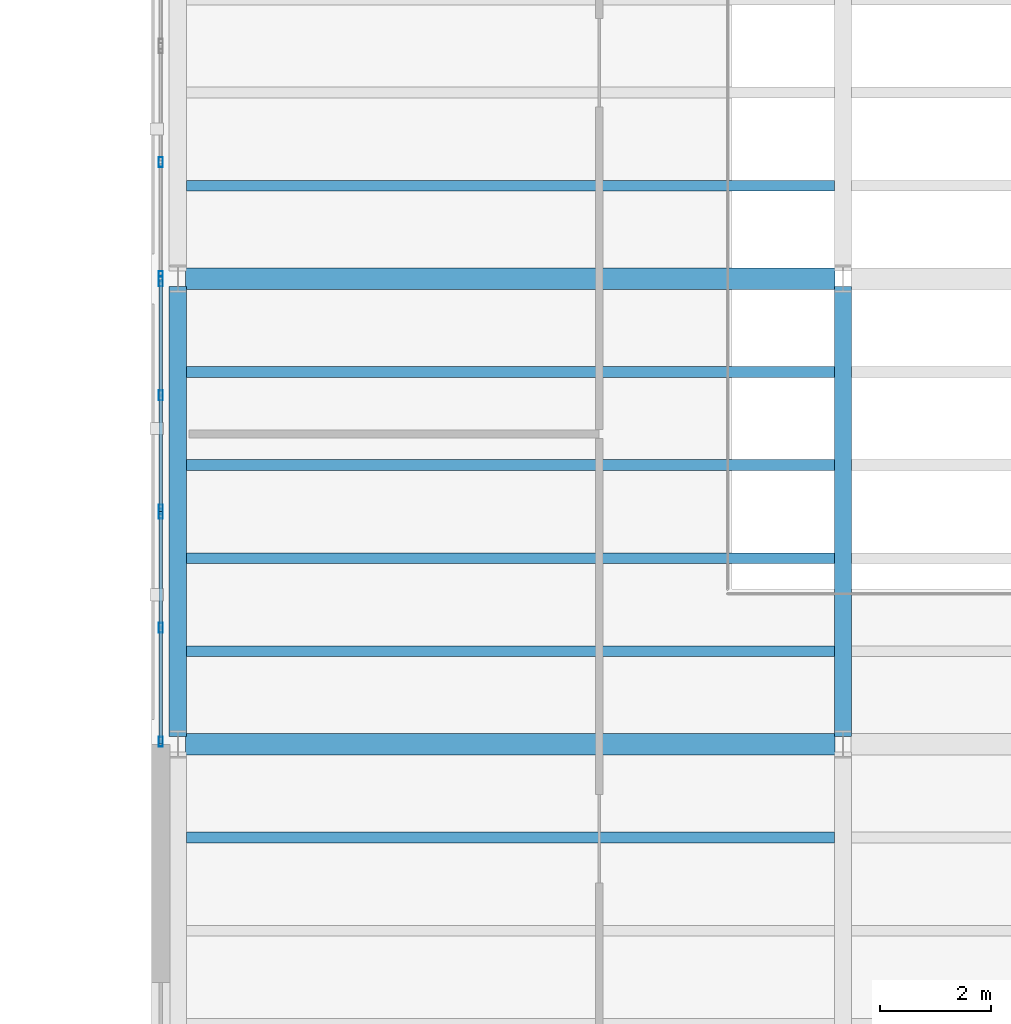
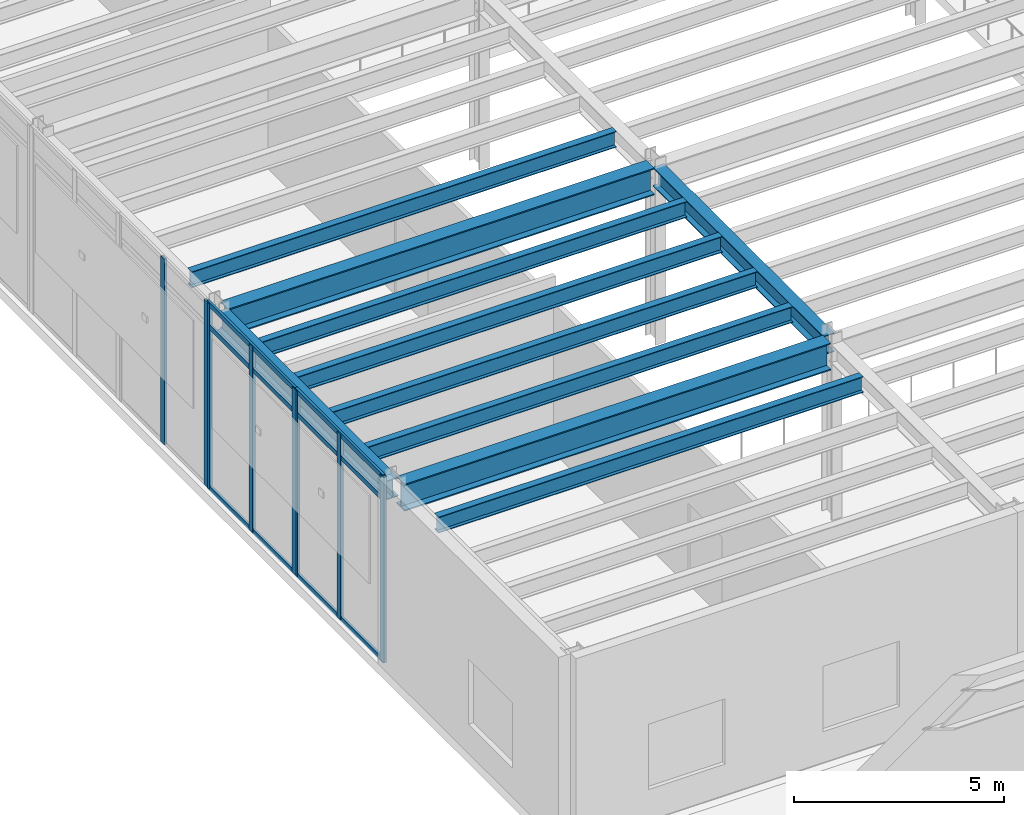
# One storey, part 34 of 98: 14 members, 10 beams, 3 elements without a shape of their own.
"""IFC4 building model written with IfcOpenShell, lengths in metres."""

from ifc_helpers import new_model, si_unit, direction, frame, origin, origin_2d, place, context, subcontext, project, spatial, hollow_rectangle, i_section, extrude, material, layer, layer_set, material_profile, profile_set, type_object, element, aggregate, save


model = new_model("IFC4")

# Units and contexts
model_context = context("Model", 3, precision=1e-05, world=origin(), true_north=direction((0.0, 1.0)))
body_context = subcontext(model_context, "Body", "Model", "MODEL_VIEW")
ifc_project = project(units=[si_unit("LENGTHUNIT", "METRE"), si_unit("AREAUNIT", "SQUARE_METRE"), si_unit("VOLUMEUNIT", "CUBIC_METRE"), si_unit("PLANEANGLEUNIT", "RADIAN"), si_unit("MASSUNIT", "GRAM", prefix="KILO")], contexts=[model_context])

# Site, building, storey
site_placement = place(None, origin())
site = spatial("IfcSite", under=ifc_project, at=site_placement, CompositionType="ELEMENT")
building_placement = place(site_placement, origin())
building = spatial("IfcBuilding", under=site, at=building_placement, Name="Sollismere Congress Hotel", CompositionType="ELEMENT")
storey_placement = place(building_placement, frame((0.0, 0.0, 5.39990234375)))
storey = spatial("IfcBuildingStorey", under=building, at=storey_placement, Name="L01", CompositionType="ELEMENT", Elevation=5.39990234375)

# Beams
ifc_material_1 = material(Name="Steel ASTM A992 Grade 50", Category="steel")
ifc_material_profile_1 = material_profile(ifc_material_1, i_section(OverallWidth=0.31494140625, OverallDepth=0.551025390625, WebThickness=0.01513671875, FlangeThickness=0.0244140625, at=origin_2d()), Name="W21X122")
ifc_profile_set_1 = profile_set([ifc_material_profile_1], Name="Steel ASTM A992 Grade 50")
beam_type_1 = type_object("IfcBeamType", Name="BM-G21H", PredefinedType="BEAM", material=ifc_profile_set_1)
for number, where, z_axis, x_axis, name in (
    (1, (112.0, 33.340087890625, 4.844482421875), (0.0, 1.0, 0.0), (-1.0, 0.0, 0.0), "Beam BM-L01-1682"),
    (2, (124.0, 33.340087890625, 4.844482421875), (0.0, 1.0, 0.0), (-1.0, 0.0, 0.0), "Beam BM-L01-1693"),
):
    element("IfcBeam", number, at=place(storey_placement, frame(where, z_axis=z_axis, x_axis=x_axis)), inside=storey, type_object=beam_type_1, Name=name, PredefinedType="BEAM", context=body_context, shape_type="SweptSolid", body=[
        extrude(i_section(OverallWidth=0.31494140625, OverallDepth=0.551025390625, WebThickness=0.01513671875, FlangeThickness=0.0244140625, at=origin_2d()), origin(), (0.0, 0.0, 1.0), 8.119873046875),
    ])
ifc_material_profile_2 = material_profile(ifc_material_1, i_section(OverallWidth=0.384033203125, OverallDepth=0.787109375, WebThickness=0.019775390625, FlangeThickness=0.033447265625, at=origin_2d()), Name="W30X211")
ifc_profile_set_2 = profile_set([ifc_material_profile_2], Name="Steel ASTM A992 Grade 50")
beam_type_2 = type_object("IfcBeamType", Name="BM-G30", PredefinedType="BEAM", material=ifc_profile_set_2)
for number, where, z_axis, x_axis, name in (
    (3, (112.139892578125, 33.199951171875, 4.7265625), (1.0, 0.0, 0.0), (0.0, 1.0, 0.0), "Beam BM-L01-1566"),
    (4, (112.139892578125, 41.60009765625, 4.7265625), (1.0, 0.0, 0.0), (0.0, 1.0, 0.0), "Beam BM-L01-1574"),
):
    element("IfcBeam", number, at=place(storey_placement, frame(where, z_axis=z_axis, x_axis=x_axis)), inside=storey, type_object=beam_type_2, Name=name, PredefinedType="BEAM", context=body_context, shape_type="SweptSolid", body=[
        extrude(i_section(OverallWidth=0.384033203125, OverallDepth=0.787109375, WebThickness=0.019775390625, FlangeThickness=0.033447265625, at=origin_2d()), origin(), (0.0, 0.0, 1.0), 11.72021484375),
    ])
ifc_material_profile_3 = material_profile(ifc_material_1, i_section(OverallWidth=0.193115234375, OverallDepth=0.467041015625, WebThickness=0.011474609375, FlangeThickness=0.01904296875, at=origin_2d()), Name="W18X65")
ifc_profile_set_3 = profile_set([ifc_material_profile_3], Name="Steel ASTM A992 Grade 50")
beam_type_3 = type_object("IfcBeamType", Name="BM-J18", PredefinedType="JOIST", material=ifc_profile_set_3)
for number, where, z_axis, x_axis, name in (
    (5, (112.157470703125, 31.52001953125, 4.88671875), (1.0, 0.0, 0.0), (0.0, 1.0, 0.0), "Beam BM-L01-1872"),
    (6, (112.157470703125, 34.8798828125, 4.88671875), (1.0, 0.0, 0.0), (0.0, 1.0, 0.0), "Beam BM-L01-1873"),
    (7, (112.157470703125, 36.56005859375, 4.88671875), (1.0, 0.0, 0.0), (0.0, 1.0, 0.0), "Beam BM-L01-1874"),
    (8, (112.157470703125, 38.239990234375, 4.88671875), (1.0, 0.0, 0.0), (0.0, 1.0, 0.0), "Beam BM-L01-1875"),
    (9, (112.157470703125, 39.919921875, 4.88671875), (1.0, 0.0, 0.0), (0.0, 1.0, 0.0), "Beam BM-L01-1876"),
    (10, (112.157470703125, 43.280029296875, 4.88671875), (1.0, 0.0, 0.0), (0.0, 1.0, 0.0), "Beam BM-L01-1877"),
):
    element("IfcBeam", number, at=place(storey_placement, frame(where, z_axis=z_axis, x_axis=x_axis)), inside=storey, type_object=beam_type_3, Name=name, PredefinedType="JOIST", context=body_context, shape_type="SweptSolid", body=[
        extrude(i_section(OverallWidth=0.193115234375, OverallDepth=0.467041015625, WebThickness=0.011474609375, FlangeThickness=0.01904296875, at=origin_2d()), origin(), (0.0, 0.0, 1.0), 11.68505859375),
    ])

# Curtain wall, members
ifc_material_2 = material(Name="Anodized Bronze Curtain Wall & Low-E Triple Glazing", Category="glass")
ifc_layer = layer(ifc_material_2, 0.199951171875, Name="Anodized Bronze Curtain Wall & Low-E Triple Glazing")
ifc_layer_set = layer_set([ifc_layer], Name="Anodized Bronze Curtain Wall & Low-E Triple Glazing")
curtain_wall_type = type_object("IfcCurtainWallType", Name="CW-GLZ36", PredefinedType="USERDEFINED", material=ifc_layer_set)
curtain_wall_1_placement = place(storey_placement, origin())
curtain_wall_1 = element("IfcCurtainWall", 11, at=curtain_wall_1_placement, inside=storey, type_object=curtain_wall_type, Name="Unitised curtain wall CW-L01-141", ObjectType="UNITISED CURTAIN WALL", PredefinedType="USERDEFINED")
ifc_material_3 = material(Name="Anodized Aluminum 6063-T6", Category="aluminium")
ifc_material_profile_4 = material_profile(ifc_material_3, hollow_rectangle(XDim=0.074951171875, YDim=0.179931640625, WallThickness=0.0048828125, at=origin_2d()), Name="ALU180X75X5")
ifc_profile_set_4 = profile_set([ifc_material_profile_4], Name="Anodized Aluminum 6063-T6")
member_type_1 = type_object("IfcMemberType", Name="ML-CW180", PredefinedType="MULLION", material=ifc_profile_set_4)
member_1_placement = place(storey_placement, frame((111.68994140625, 33.248046875, 0.0), z_axis=(0.0, 0.0, 1.0), x_axis=(-1.0, 0.0, 0.0)))
member_1 = element("IfcMember", 12, at=member_1_placement, type_object=member_type_1, Name="CWL-CW-L01-141-ML01", PredefinedType="MULLION", context=body_context, shape_type="SweptSolid", body=[
    extrude(hollow_rectangle(XDim=0.074951171875, YDim=0.179931640625, WallThickness=0.0048828125, at=origin_2d()), origin(), (0.0, 0.0, 1.0), 5.400146484375),
])
member_2_placement = place(storey_placement, frame((111.68994140625, 35.304931640625, 0.0), z_axis=(0.0, 0.0, 1.0), x_axis=(-1.0, 0.0, 0.0)))
member_2 = element("IfcMember", 13, at=member_2_placement, type_object=member_type_1, Name="CWL-CW-L01-141-ML02", PredefinedType="MULLION", context=body_context, shape_type="SweptSolid", body=[
    extrude(hollow_rectangle(XDim=0.074951171875, YDim=0.179931640625, WallThickness=0.0048828125, at=origin_2d()), origin(), (0.0, 0.0, 1.0), 5.400146484375),
])
member_3_placement = place(storey_placement, frame((111.68994140625, 37.362060546875, 0.0), z_axis=(0.0, 0.0, 1.0), x_axis=(-1.0, 0.0, 0.0)))
member_3 = element("IfcMember", 14, at=member_3_placement, type_object=member_type_1, Name="CWL-CW-L01-141-ML03", PredefinedType="MULLION", context=body_context, shape_type="SweptSolid", body=[
    extrude(hollow_rectangle(XDim=0.074951171875, YDim=0.179931640625, WallThickness=0.0048828125, at=origin_2d()), origin(), (0.0, 0.0, 1.0), 5.400146484375),
])

curtain_wall_2_placement = place(storey_placement, origin())
curtain_wall_2 = element("IfcCurtainWall", 15, at=curtain_wall_2_placement, inside=storey, type_object=curtain_wall_type, Name="Unitised curtain wall CW-L01-142", ObjectType="UNITISED CURTAIN WALL", PredefinedType="USERDEFINED")
member_4_placement = place(storey_placement, frame((111.68994140625, 37.43798828125, 0.0), z_axis=(0.0, 0.0, 1.0), x_axis=(-1.0, 0.0, 0.0)))
member_4 = element("IfcMember", 16, at=member_4_placement, type_object=member_type_1, Name="CWL-CW-L01-142-ML01", PredefinedType="MULLION", context=body_context, shape_type="SweptSolid", body=[
    extrude(hollow_rectangle(XDim=0.074951171875, YDim=0.179931640625, WallThickness=0.0048828125, at=origin_2d()), origin(), (0.0, 0.0, 1.0), 5.400146484375),
])
member_5_placement = place(storey_placement, frame((111.68994140625, 39.4951171875, 0.0), z_axis=(0.0, 0.0, 1.0), x_axis=(-1.0, 0.0, 0.0)))
member_5 = element("IfcMember", 17, at=member_5_placement, type_object=member_type_1, Name="CWL-CW-L01-142-ML02", PredefinedType="MULLION", context=body_context, shape_type="SweptSolid", body=[
    extrude(hollow_rectangle(XDim=0.074951171875, YDim=0.179931640625, WallThickness=0.0048828125, at=origin_2d()), origin(), (0.0, 0.0, 1.0), 5.400146484375),
])
member_6_placement = place(storey_placement, frame((111.68994140625, 41.552001953125, 0.0), z_axis=(0.0, 0.0, 1.0), x_axis=(-1.0, 0.0, 0.0)))
member_6 = element("IfcMember", 18, at=member_6_placement, type_object=member_type_1, Name="CWL-CW-L01-142-ML03", PredefinedType="MULLION", context=body_context, shape_type="SweptSolid", body=[
    extrude(hollow_rectangle(XDim=0.074951171875, YDim=0.179931640625, WallThickness=0.0048828125, at=origin_2d()), origin(), (0.0, 0.0, 1.0), 5.400146484375),
])

curtain_wall_3_placement = place(storey_placement, origin())
curtain_wall_3 = element("IfcCurtainWall", 19, at=curtain_wall_3_placement, inside=storey, type_object=curtain_wall_type, Name="Unitised curtain wall CW-L01-143", ObjectType="UNITISED CURTAIN WALL", PredefinedType="USERDEFINED")
member_7_placement = place(storey_placement, frame((111.68994140625, 41.64794921875, 0.0), z_axis=(0.0, 0.0, 1.0), x_axis=(-1.0, 0.0, 0.0)))
member_7 = element("IfcMember", 20, at=member_7_placement, type_object=member_type_1, Name="CWL-CW-L01-143-ML01", PredefinedType="MULLION", context=body_context, shape_type="SweptSolid", body=[
    extrude(hollow_rectangle(XDim=0.074951171875, YDim=0.179931640625, WallThickness=0.0048828125, at=origin_2d()), origin(), (0.0, 0.0, 1.0), 5.400146484375),
])
member_8_placement = place(storey_placement, frame((111.68994140625, 43.705078125, 0.0), z_axis=(0.0, 0.0, 1.0), x_axis=(-1.0, 0.0, 0.0)))
member_8 = element("IfcMember", 21, at=member_8_placement, type_object=member_type_1, Name="CWL-CW-L01-143-ML02", PredefinedType="MULLION", context=body_context, shape_type="SweptSolid", body=[
    extrude(hollow_rectangle(XDim=0.074951171875, YDim=0.179931640625, WallThickness=0.0048828125, at=origin_2d()), origin(), (0.0, 0.0, 1.0), 5.400146484375),
])
aggregate(curtain_wall_3, [member_7, member_8])

# Member
ifc_material_profile_5 = material_profile(ifc_material_3, hollow_rectangle(XDim=0.06494140625, YDim=0.139892578125, WallThickness=0.00390625, at=origin_2d()), Name="ALU140X65X4")
ifc_profile_set_5 = profile_set([ifc_material_profile_5], Name="Anodized Aluminum 6063-T6")
member_type_2 = type_object("IfcMemberType", Name="TR-CW150", PredefinedType="MEMBER", material=ifc_profile_set_5)
member_9_placement = place(storey_placement, frame((111.68994140625, 33.2099609375, 0.03271484375), z_axis=(0.0, 1.0, 0.0), x_axis=(-1.0, 0.0, 0.0)))
member_9 = element("IfcMember", 22, at=member_9_placement, type_object=member_type_2, Name="CWL-CW-L01-141-TR1", PredefinedType="MEMBER", context=body_context, shape_type="SweptSolid", body=[
    extrude(hollow_rectangle(XDim=0.06494140625, YDim=0.139892578125, WallThickness=0.00390625, at=origin_2d()), origin(), (0.0, 0.0, 1.0), 4.18994140625),
])

member_10_placement = place(storey_placement, frame((111.68994140625, 33.2099609375, 4.72021484375), z_axis=(0.0, 1.0, 0.0), x_axis=(-1.0, 0.0, 0.0)))
member_10 = element("IfcMember", 23, at=member_10_placement, type_object=member_type_2, Name="CWL-CW-L01-141-TR2", PredefinedType="MEMBER", context=body_context, shape_type="SweptSolid", body=[
    extrude(hollow_rectangle(XDim=0.06494140625, YDim=0.139892578125, WallThickness=0.00390625, at=origin_2d()), origin(), (0.0, 0.0, 1.0), 4.18994140625),
])

member_11_placement = place(storey_placement, frame((111.68994140625, 33.2099609375, 5.36767578125), z_axis=(0.0, 1.0, 0.0), x_axis=(-1.0, 0.0, 0.0)))
member_11 = element("IfcMember", 24, at=member_11_placement, type_object=member_type_2, Name="CWL-CW-L01-141-TR3", PredefinedType="MEMBER", context=body_context, shape_type="SweptSolid", body=[
    extrude(hollow_rectangle(XDim=0.06494140625, YDim=0.139892578125, WallThickness=0.00390625, at=origin_2d()), origin(), (0.0, 0.0, 1.0), 4.18994140625),
])

aggregate(curtain_wall_1, [member_1, member_2, member_3, member_9, member_10, member_11])

member_12_placement = place(storey_placement, frame((111.68994140625, 37.39990234375, 0.03271484375), z_axis=(0.0, 1.0, 0.0), x_axis=(-1.0, 0.0, 0.0)))
member_12 = element("IfcMember", 25, at=member_12_placement, type_object=member_type_2, Name="CWL-CW-L01-142-TR1", PredefinedType="MEMBER", context=body_context, shape_type="SweptSolid", body=[
    extrude(hollow_rectangle(XDim=0.06494140625, YDim=0.139892578125, WallThickness=0.00390625, at=origin_2d()), origin(), (0.0, 0.0, 1.0), 4.190185546875),
])

member_13_placement = place(storey_placement, frame((111.68994140625, 37.39990234375, 4.72021484375), z_axis=(0.0, 1.0, 0.0), x_axis=(-1.0, 0.0, 0.0)))
member_13 = element("IfcMember", 26, at=member_13_placement, type_object=member_type_2, Name="CWL-CW-L01-142-TR2", PredefinedType="MEMBER", context=body_context, shape_type="SweptSolid", body=[
    extrude(hollow_rectangle(XDim=0.06494140625, YDim=0.139892578125, WallThickness=0.00390625, at=origin_2d()), origin(), (0.0, 0.0, 1.0), 4.190185546875),
])

member_14_placement = place(storey_placement, frame((111.68994140625, 37.39990234375, 5.36767578125), z_axis=(0.0, 1.0, 0.0), x_axis=(-1.0, 0.0, 0.0)))
member_14 = element("IfcMember", 27, at=member_14_placement, type_object=member_type_2, Name="CWL-CW-L01-142-TR3", PredefinedType="MEMBER", context=body_context, shape_type="SweptSolid", body=[
    extrude(hollow_rectangle(XDim=0.06494140625, YDim=0.139892578125, WallThickness=0.00390625, at=origin_2d()), origin(), (0.0, 0.0, 1.0), 4.190185546875),
])

aggregate(curtain_wall_2, [member_4, member_5, member_6, member_12, member_13, member_14])

save(model, "model.ifc")
